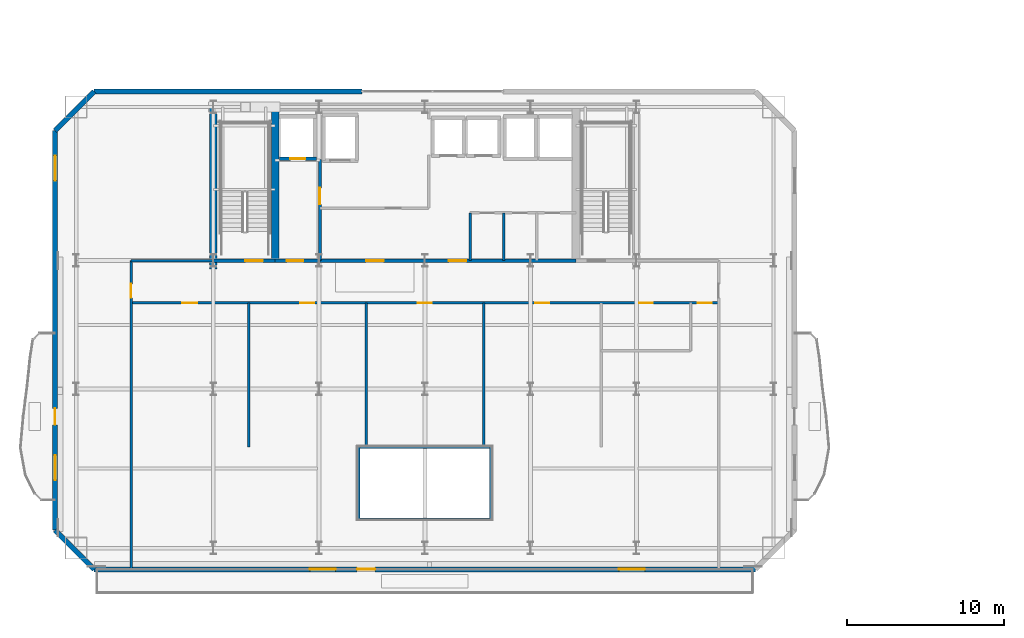
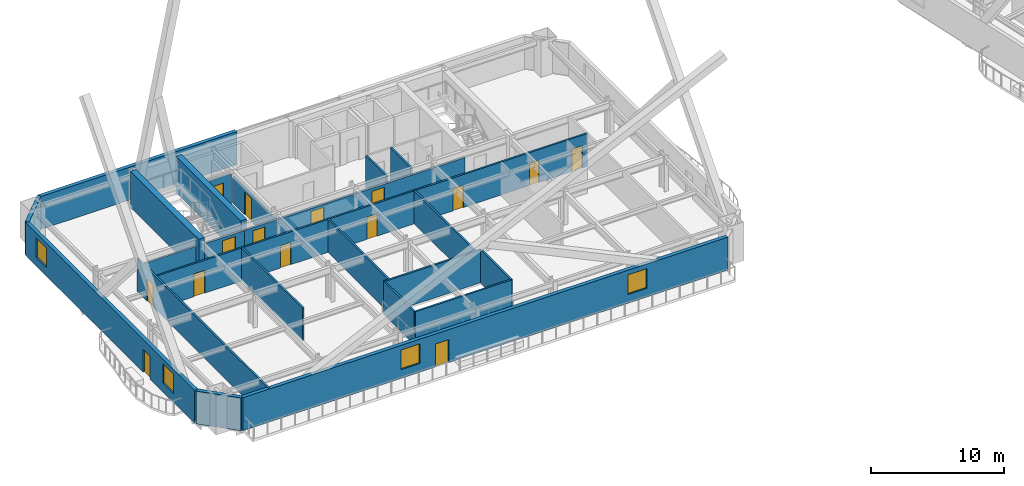
# One storey, part 12 of 22: 24 walls, 15 doors, 4 windows, 19 openings.
"""IFC4 building model written with IfcOpenShell, lengths in metres."""

from ifc_helpers import new_model, si_unit, direction, frame, frame_2d, origin, place, context, subcontext, project, spatial, rectangle, extrude, material, layer, layer_set, type_object, element, fill, save


model = new_model("IFC4")

# Units and contexts
model_context = context("Model", 3, precision=1e-05, world=origin(), true_north=direction((0.0, 1.0)))
body_context = subcontext(model_context, "Body", "Model", "MODEL_VIEW")
ifc_project = project(units=[si_unit("LENGTHUNIT", "METRE"), si_unit("AREAUNIT", "SQUARE_METRE"), si_unit("VOLUMEUNIT", "CUBIC_METRE"), si_unit("PLANEANGLEUNIT", "RADIAN"), si_unit("MASSUNIT", "GRAM", prefix="KILO")], contexts=[model_context])

# Site, building, storey
site_placement = place(None, origin())
site = spatial("IfcSite", under=ifc_project, at=site_placement, CompositionType="ELEMENT")
building_placement = place(site_placement, origin())
building = spatial("IfcBuilding", under=site, at=building_placement, Name="Haevon Station Towers", CompositionType="ELEMENT")
storey_placement = place(building_placement, frame((0.0, 0.0, 93.300048828125)))
storey = spatial("IfcBuildingStorey", under=building, at=storey_placement, Name="L24", CompositionType="ELEMENT", Elevation=93.300048828125)

# Wall, opening, door
ifc_material_1 = material(Name="Gypsum board on steel stud", Category="steel")
ifc_layer_1 = layer(ifc_material_1, 0.199951171875)
ifc_layer_set_1 = layer_set([ifc_layer_1], Name="Gypsum board on steel stud")
wall_type_1 = type_object("IfcWallType", Name="WL-COR200", PredefinedType="PARTITIONING", material=ifc_layer_set_1)
wall_1_placement = place(storey_placement, frame((24.0, 38.199951171875, 0.0), z_axis=(0.0, 0.0, 1.0), x_axis=(1.0, 0.0, 0.0)))
wall_1 = element("IfcWall", 1, at=wall_1_placement, inside=storey, type_object=wall_type_1, Name="WL-ST-ST1-L24", PredefinedType="PARTITIONING", context=body_context, shape_type="SweptSolid", body=[
    extrude(rectangle(XDim=3.949951171875, YDim=0.199951171875, at=frame_2d((1.97509765625, 0.0))), origin(), (0.0, 0.0, 1.0), 2.3798828125),
])
opening_1_placement = place(wall_1_placement, frame((2.050048828125, 0.0, 0.0)))
opening_1 = element("IfcOpeningElement", 2, at=opening_1_placement, cuts=wall_1, Name="Opening DR-ST-ST1-L24", PredefinedType="OPENING", context=body_context, shape_type="SweptSolid", body=[
    extrude(rectangle(XDim=1.1201171875, YDim=2.10009765625, at=frame_2d((0.56005859375, 1.050048828125))), frame((0.0, 0.10986328125, 0.0), z_axis=(0.0, -1.0, 0.0), x_axis=(1.0, 0.0, 0.0)), (0.0, 0.0, 1.0), 0.219970703125),
])
ifc_material_2 = material(Name="Engineered oak timber", Category="wood")
door_type_1 = type_object("IfcDoorType", Name="DR-ST-1120", OperationType="NOTDEFINED", PredefinedType="DOOR", material=ifc_material_2)
door_1_placement = place(opening_1_placement, origin())
door_1 = element("IfcDoor", 3, at=door_1_placement, inside=storey, type_object=door_type_1, Name="L24 Escape Stair ST1 Fire Door", OperationType="SINGLE_SWING_RIGHT", OverallHeight=2.10009765625, OverallWidth=1.1201171875, PredefinedType="DOOR", context=body_context, shape_type="SweptSolid", body=[
    extrude(rectangle(XDim=1.1201171875, YDim=2.10009765625, at=frame_2d((0.56005859375, 1.050048828125))), frame((0.0, 0.02490234375, 0.0), z_axis=(0.0, -1.0, 0.0), x_axis=(1.0, 0.0, 0.0)), (0.0, 0.0, 1.0), 0.050048828125),
])
fill(opening_1, door_1)

wall_2_placement = place(storey_placement, frame((30.800048828125, 38.199951171875, 0.0), z_axis=(0.0, 0.0, 1.0), x_axis=(0.0, 1.0, 0.0)))
wall_2 = element("IfcWall", 4, at=wall_2_placement, inside=storey, type_object=wall_type_1, Name="WL-T1FFL-L24-E", PredefinedType="PARTITIONING", context=body_context, shape_type="SweptSolid", body=[
    extrude(rectangle(XDim=6.449951171875, YDim=0.199951171875, at=frame_2d((3.22509765625, 0.0))), origin(), (0.0, 0.0, 1.0), 2.3798828125),
])
opening_2_placement = place(wall_2_placement, frame((3.590087890625, 0.0, 0.0)))
opening_2 = element("IfcOpeningElement", 5, at=opening_2_placement, cuts=wall_2, Name="Opening DR-T1FFL-L24-E", PredefinedType="OPENING", context=body_context, shape_type="SweptSolid", body=[
    extrude(rectangle(XDim=1.050048828125, YDim=2.10009765625, at=frame_2d((0.52490234375, 1.050048828125))), frame((0.0, 0.10986328125, 0.0), z_axis=(0.0, -1.0, 0.0), x_axis=(1.0, 0.0, 0.0)), (0.0, 0.0, 1.0), 0.219970703125),
])
door_type_2 = type_object("IfcDoorType", Name="DR-FD60-1050", OperationType="NOTDEFINED", PredefinedType="DOOR", material=ifc_material_2)
door_2_placement = place(opening_2_placement, origin())
door_2 = element("IfcDoor", 6, at=door_2_placement, inside=storey, type_object=door_type_2, Name="L24 Tower 1 Firefighting Lift Lobby Door E", OperationType="SINGLE_SWING_RIGHT", OverallHeight=2.10009765625, OverallWidth=1.050048828125, PredefinedType="DOOR", context=body_context, shape_type="SweptSolid", body=[
    extrude(rectangle(XDim=1.050048828125, YDim=2.10009765625, at=frame_2d((0.52490234375, 1.050048828125))), frame((0.0, 0.02490234375, 0.0), z_axis=(0.0, -1.0, 0.0), x_axis=(1.0, 0.0, 0.0)), (0.0, 0.0, 1.0), 0.050048828125),
])
fill(opening_2, door_2)

wall_3_placement = place(storey_placement, frame((27.949951171875, 38.199951171875, 0.0), z_axis=(0.0, 0.0, 1.0), x_axis=(1.0, 0.0, 0.0)))
wall_3 = element("IfcWall", 7, at=wall_3_placement, inside=storey, type_object=wall_type_1, Name="WL-T1FFL-L24-S", PredefinedType="PARTITIONING", context=body_context, shape_type="SweptSolid", body=[
    extrude(rectangle(XDim=2.85009765625, YDim=0.199951171875, at=frame_2d((1.425048828125, 0.0))), origin(), (0.0, 0.0, 1.0), 2.3798828125),
])
opening_3_placement = place(wall_3_placement, frame((0.75, 0.0, 0.0)))
opening_3 = element("IfcOpeningElement", 8, at=opening_3_placement, cuts=wall_3, Name="Opening DR-T1FFL-L24-S", PredefinedType="OPENING", context=body_context, shape_type="SweptSolid", body=[
    extrude(rectangle(XDim=1.050048828125, YDim=2.10009765625, at=frame_2d((0.52490234375, 1.050048828125))), frame((0.0, 0.10986328125, 0.0), z_axis=(0.0, -1.0, 0.0), x_axis=(1.0, 0.0, 0.0)), (0.0, 0.0, 1.0), 0.219970703125),
])
door_3_placement = place(opening_3_placement, origin())
door_3 = element("IfcDoor", 9, at=door_3_placement, inside=storey, type_object=door_type_2, Name="L24 Tower 1 Firefighting Lift Lobby Door S", OperationType="SINGLE_SWING_LEFT", OverallHeight=2.10009765625, OverallWidth=1.050048828125, PredefinedType="DOOR", context=body_context, shape_type="SweptSolid", body=[
    extrude(rectangle(XDim=1.050048828125, YDim=2.10009765625, at=frame_2d((0.52490234375, 1.050048828125))), frame((0.0, 0.02490234375, 0.0), z_axis=(0.0, -1.0, 0.0), x_axis=(1.0, 0.0, 0.0)), (0.0, 0.0, 1.0), 0.050048828125),
])
fill(opening_3, door_3)

# Wall, openings, doors
wall_4_placement = place(storey_placement, frame((30.800048828125, 38.199951171875, 0.0), z_axis=(0.0, 0.0, 1.0), x_axis=(1.0, 0.0, 0.0)))
wall_4 = element("IfcWall", 10, at=wall_4_placement, inside=storey, type_object=wall_type_1, Name="WL-T1CLB-L24", PredefinedType="PARTITIONING", context=body_context, shape_type="SweptSolid", body=[
    extrude(rectangle(XDim=16.349853515625, YDim=0.199951171875, at=frame_2d((8.1748046875, 0.0))), origin(), (0.0, 0.0, 1.0), 2.3798828125),
])
opening_4_placement = place(wall_4_placement, frame((2.949951171875, 0.0, 0.0)))
opening_4 = element("IfcOpeningElement", 11, at=opening_4_placement, cuts=wall_4, Name="Opening DR-T1CLB-L24-1", PredefinedType="OPENING", context=body_context, shape_type="SweptSolid", body=[
    extrude(rectangle(XDim=1.1201171875, YDim=2.10009765625, at=frame_2d((0.56005859375, 1.050048828125))), frame((0.0, 0.10986328125, 0.0), z_axis=(0.0, -1.0, 0.0), x_axis=(1.0, 0.0, 0.0)), (0.0, 0.0, 1.0), 0.219970703125),
])
opening_5_placement = place(wall_4_placement, frame((8.22998046875, 0.0, 0.0)))
opening_5 = element("IfcOpeningElement", 12, at=opening_5_placement, cuts=wall_4, Name="Opening DR-T1CLB-L24-2", PredefinedType="OPENING", context=body_context, shape_type="SweptSolid", body=[
    extrude(rectangle(XDim=1.1201171875, YDim=2.10009765625, at=frame_2d((0.56005859375, 1.050048828125))), frame((0.0, 0.10986328125, 0.0), z_axis=(0.0, -1.0, 0.0), x_axis=(1.0, 0.0, 0.0)), (0.0, 0.0, 1.0), 0.219970703125),
])
door_4_placement = place(opening_4_placement, origin())
door_4 = element("IfcDoor", 13, at=door_4_placement, inside=storey, type_object=door_type_1, Name="L24 Tower 1 Core Lift Lobby Door 1", OperationType="SINGLE_SWING_RIGHT", OverallHeight=2.10009765625, OverallWidth=1.1201171875, PredefinedType="DOOR", context=body_context, shape_type="SweptSolid", body=[
    extrude(rectangle(XDim=1.1201171875, YDim=2.10009765625, at=frame_2d((0.56005859375, 1.050048828125))), frame((0.0, 0.02490234375, 0.0), z_axis=(0.0, -1.0, 0.0), x_axis=(1.0, 0.0, 0.0)), (0.0, 0.0, 1.0), 0.050048828125),
])
fill(opening_4, door_4)
door_5_placement = place(opening_5_placement, origin())
door_5 = element("IfcDoor", 14, at=door_5_placement, inside=storey, type_object=door_type_1, Name="L24 Tower 1 Core Lift Lobby Door 2", OperationType="SINGLE_SWING_LEFT", OverallHeight=2.10009765625, OverallWidth=1.1201171875, PredefinedType="DOOR", context=body_context, shape_type="SweptSolid", body=[
    extrude(rectangle(XDim=1.1201171875, YDim=2.10009765625, at=frame_2d((0.56005859375, 1.050048828125))), frame((0.0, 0.02490234375, 0.0), z_axis=(0.0, -1.0, 0.0), x_axis=(1.0, 0.0, 0.0)), (0.0, 0.0, 1.0), 0.050048828125),
])
fill(opening_5, door_5)

# Walls
ifc_material_3 = material(Name="Concrete C60/75", Category="concrete")
ifc_layer_2 = layer(ifc_material_3, 0.5)
ifc_layer_set_2 = layer_set([ifc_layer_2], Name="Concrete C60/75")
wall_type_2 = type_object("IfcWallType", Name="WL-CR500", PredefinedType="SHEAR", material=ifc_layer_set_2)
wall_5_placement = place(storey_placement, frame((24.0, 37.679931640625, 0.0), z_axis=(0.0, 0.0, 1.0), x_axis=(0.0, 1.0, 0.0)))
element("IfcWall", 15, at=wall_5_placement, inside=storey, type_object=wall_type_2, Name="WL-T1CR-L24-W", PredefinedType="SHEAR", context=body_context, shape_type="SweptSolid", body=[
    extrude(rectangle(XDim=10.320068359375, YDim=0.5, at=frame_2d((5.16015625, 0.0))), origin(), (0.0, 0.0, 1.0), 3.300048828125),
])
wall_6_placement = place(storey_placement, frame((27.949951171875, 38.199951171875, 0.0), z_axis=(0.0, 0.0, 1.0), x_axis=(0.0, 1.0, 0.0)))
element("IfcWall", 16, at=wall_6_placement, inside=storey, type_object=wall_type_2, Name="WL-T1CR-L24-M1", PredefinedType="SHEAR", context=body_context, shape_type="SweptSolid", body=[
    extrude(rectangle(XDim=9.800048828125, YDim=0.5, at=frame_2d((4.89990234375, 0.0))), origin(), (0.0, 0.0, 1.0), 3.300048828125),
])

# Wall, openings, door, windows
ifc_material_4 = material(Name="Precast concrete C45/55", Category="concrete")
ifc_layer_3 = layer(ifc_material_4, 0.320068359375)
ifc_layer_set_3 = layer_set([ifc_layer_3], Name="Precast concrete C45/55")
wall_type_3 = type_object("IfcWallType", Name="WL-EXT-PIER320", PredefinedType="SOLIDWALL", material=ifc_layer_set_3)
wall_7_placement = place(storey_placement, frame((58.60009765625, 18.5, 0.0), z_axis=(0.0, 0.0, 1.0), x_axis=(-1.0, 0.0, 0.0)))
wall_7 = element("IfcWall", 17, at=wall_7_placement, inside=storey, type_object=wall_type_3, Name="WL-T1-L24-S", PredefinedType="SOLIDWALL", context=body_context, shape_type="SweptSolid", body=[
    extrude(rectangle(XDim=42.2001953125, YDim=0.320068359375, at=frame_2d((21.10009765625, 0.0))), origin(), (0.0, 0.0, 1.0), 3.030029296875),
])
opening_6_placement = place(wall_7_placement, frame((24.27490234375, 0.0, 0.0)))
opening_6 = element("IfcOpeningElement", 18, at=opening_6_placement, cuts=wall_7, Name="Opening DR-T1-SKYG-L24", PredefinedType="OPENING", context=body_context, shape_type="SweptSolid", body=[
    extrude(rectangle(XDim=1.14990234375, YDim=2.10009765625, at=frame_2d((0.574951171875, 1.050048828125))), frame((0.0, 0.169921875, 0.0), z_axis=(0.0, -1.0, 0.0), x_axis=(1.0, 0.0, 0.0)), (0.0, 0.0, 1.0), 0.340087890625),
])
opening_7_placement = place(wall_7_placement, frame((26.783935546875, 0.0, 0.800048828125)))
opening_7 = element("IfcOpeningElement", 19, at=opening_7_placement, cuts=wall_7, Name="Opening WN-P165", PredefinedType="OPENING", context=body_context, shape_type="SweptSolid", body=[
    extrude(rectangle(XDim=1.64990234375, YDim=1.800048828125, at=frame_2d((0.824951171875, 0.89990234375))), frame((0.0, 0.169921875, 0.0), z_axis=(0.0, -1.0, 0.0), x_axis=(1.0, 0.0, 0.0)), (0.0, 0.0, 1.0), 0.340087890625),
])
opening_8_placement = place(wall_7_placement, frame((7.056396484375, 0.0, 0.800048828125)))
opening_8 = element("IfcOpeningElement", 20, at=opening_8_placement, cuts=wall_7, Name="Opening WN-P165", PredefinedType="OPENING", context=body_context, shape_type="SweptSolid", body=[
    extrude(rectangle(XDim=1.64990234375, YDim=1.800048828125, at=frame_2d((0.824951171875, 0.89990234375))), frame((0.0, 0.169921875, 0.0), z_axis=(0.0, -1.0, 0.0), x_axis=(1.0, 0.0, 0.0)), (0.0, 0.0, 1.0), 0.340087890625),
])
ifc_material_5 = material(Name="Thermally broken anodised aluminium and laminated safety glass", Category="aluminium")
door_type_3 = type_object("IfcDoorType", Name="DR-BALC-1150", OperationType="NOTDEFINED", PredefinedType="DOOR", material=ifc_material_5)
door_6_placement = place(opening_6_placement, origin())
door_6 = element("IfcDoor", 21, at=door_6_placement, inside=storey, type_object=door_type_3, Name="Tower 1 L24 Sky Garden Terrace Door", OperationType="SINGLE_SWING_RIGHT", OverallHeight=2.10009765625, OverallWidth=1.14990234375, PredefinedType="DOOR", context=body_context, shape_type="SweptSolid", body=[
    extrude(rectangle(XDim=1.14990234375, YDim=2.10009765625, at=frame_2d((0.574951171875, 1.050048828125))), frame((0.0, 0.02490234375, 0.0), z_axis=(0.0, -1.0, 0.0), x_axis=(1.0, 0.0, 0.0)), (0.0, 0.0, 1.0), 0.050048828125),
])
fill(opening_6, door_6)
ifc_material_6 = material(Name="Low-E triple glazing in thermally broken aluminium", Category="aluminium")
window_type_1 = type_object("IfcWindowType", Name="WN-P165", PartitioningType="SINGLE_PANEL", PredefinedType="WINDOW", material=ifc_material_6)
window_1_placement = place(opening_7_placement, origin())
window_1 = element("IfcWindow", 22, at=window_1_placement, inside=storey, type_object=window_type_1, Name="WN-T1-L24-S01", OverallHeight=1.800048828125, OverallWidth=1.64990234375, PartitioningType="SINGLE_PANEL", PredefinedType="WINDOW", context=body_context, shape_type="SweptSolid", body=[
    extrude(rectangle(XDim=1.64990234375, YDim=1.800048828125, at=frame_2d((0.824951171875, 0.89990234375))), frame((0.0, 0.030029296875, 0.0), z_axis=(0.0, -1.0, 0.0), x_axis=(1.0, 0.0, 0.0)), (0.0, 0.0, 1.0), 0.06005859375),
])
fill(opening_7, window_1)
window_2_placement = place(opening_8_placement, origin())
window_2 = element("IfcWindow", 23, at=window_2_placement, inside=storey, type_object=window_type_1, Name="WN-T1-L24-S02", OverallHeight=1.800048828125, OverallWidth=1.64990234375, PartitioningType="SINGLE_PANEL", PredefinedType="WINDOW", context=body_context, shape_type="SweptSolid", body=[
    extrude(rectangle(XDim=1.64990234375, YDim=1.800048828125, at=frame_2d((0.824951171875, 0.89990234375))), frame((0.0, 0.030029296875, 0.0), z_axis=(0.0, -1.0, 0.0), x_axis=(1.0, 0.0, 0.0)), (0.0, 0.0, 1.0), 0.06005859375),
])
fill(opening_8, window_2)

# Wall
wall_8_placement = place(storey_placement, frame((16.39990234375, 18.5, 0.0), z_axis=(0.0, 0.0, 1.0), x_axis=(-0.707106781187, 0.707106781187, 0.0)))
element("IfcWall", 24, at=wall_8_placement, inside=storey, type_object=wall_type_3, Name="WL-T1-L24-SWC", PredefinedType="SOLIDWALL", context=body_context, shape_type="SweptSolid", body=[
    extrude(rectangle(XDim=3.53564453125, YDim=0.320068359375, at=frame_2d((1.767822265625, 0.0))), origin(), (0.0, 0.0, 1.0), 3.030029296875),
])

# Wall, openings, door, windows
wall_9_placement = place(storey_placement, frame((13.89990234375, 21.0, 0.0), z_axis=(0.0, 0.0, 1.0), x_axis=(0.0, 1.0, 0.0)))
wall_9 = element("IfcWall", 25, at=wall_9_placement, inside=storey, type_object=wall_type_3, Name="WL-T1-L24-W", PredefinedType="SOLIDWALL", context=body_context, shape_type="SweptSolid", body=[
    extrude(rectangle(XDim=25.5, YDim=0.320068359375, at=frame_2d((12.75, 0.0))), origin(), (0.0, 0.0, 1.0), 3.030029296875),
])
opening_9_placement = place(wall_9_placement, frame((6.72509765625, 0.0, 0.0)))
opening_9 = element("IfcOpeningElement", 26, at=opening_9_placement, cuts=wall_9, Name="Opening DR-T1-SCAL-L24-W", PredefinedType="OPENING", context=body_context, shape_type="SweptSolid", body=[
    extrude(rectangle(XDim=1.050048828125, YDim=2.10009765625, at=frame_2d((0.52490234375, 1.050048828125))), frame((0.0, 0.169921875, 0.0), z_axis=(0.0, -1.0, 0.0), x_axis=(1.0, 0.0, 0.0)), (0.0, 0.0, 1.0), 0.340087890625),
])
opening_10_placement = place(wall_9_placement, frame((3.189208984375, 0.0, 0.800048828125)))
opening_10 = element("IfcOpeningElement", 27, at=opening_10_placement, cuts=wall_9, Name="Opening WN-END160", PredefinedType="OPENING", context=body_context, shape_type="SweptSolid", body=[
    extrude(rectangle(XDim=1.60009765625, YDim=1.800048828125, at=frame_2d((0.800048828125, 0.89990234375))), frame((0.0, 0.169921875, 0.0), z_axis=(0.0, -1.0, 0.0), x_axis=(1.0, 0.0, 0.0)), (0.0, 0.0, 1.0), 0.340087890625),
])
opening_11_placement = place(wall_9_placement, frame((22.3037109375, 0.0, 0.800048828125)))
opening_11 = element("IfcOpeningElement", 28, at=opening_11_placement, cuts=wall_9, Name="Opening WN-END160", PredefinedType="OPENING", context=body_context, shape_type="SweptSolid", body=[
    extrude(rectangle(XDim=1.60009765625, YDim=1.800048828125, at=frame_2d((0.800048828125, 0.89990234375))), frame((0.0, 0.169921875, 0.0), z_axis=(0.0, -1.0, 0.0), x_axis=(1.0, 0.0, 0.0)), (0.0, 0.0, 1.0), 0.340087890625),
])
door_type_4 = type_object("IfcDoorType", Name="DR-BALC-1050", OperationType="NOTDEFINED", PredefinedType="DOOR", material=ifc_material_5)
door_7_placement = place(opening_9_placement, origin())
door_7 = element("IfcDoor", 29, at=door_7_placement, inside=storey, type_object=door_type_4, Name="Tower 1 L24 West Scalloped Balcony Door", OperationType="SINGLE_SWING_LEFT", OverallHeight=2.10009765625, OverallWidth=1.050048828125, PredefinedType="DOOR", context=body_context, shape_type="SweptSolid", body=[
    extrude(rectangle(XDim=1.050048828125, YDim=2.10009765625, at=frame_2d((0.52490234375, 1.050048828125))), frame((0.0, 0.02490234375, 0.0), z_axis=(0.0, -1.0, 0.0), x_axis=(1.0, 0.0, 0.0)), (0.0, 0.0, 1.0), 0.050048828125),
])
fill(opening_9, door_7)
window_type_2 = type_object("IfcWindowType", Name="WN-END160", PartitioningType="SINGLE_PANEL", PredefinedType="WINDOW", material=ifc_material_6)
window_3_placement = place(opening_10_placement, origin())
window_3 = element("IfcWindow", 30, at=window_3_placement, inside=storey, type_object=window_type_2, Name="WN-T1-L24-W01", OverallHeight=1.800048828125, OverallWidth=1.60009765625, PartitioningType="SINGLE_PANEL", PredefinedType="WINDOW", context=body_context, shape_type="SweptSolid", body=[
    extrude(rectangle(XDim=1.60009765625, YDim=1.800048828125, at=frame_2d((0.800048828125, 0.89990234375))), frame((0.0, 0.030029296875, 0.0), z_axis=(0.0, -1.0, 0.0), x_axis=(1.0, 0.0, 0.0)), (0.0, 0.0, 1.0), 0.06005859375),
])
fill(opening_10, window_3)
window_4_placement = place(opening_11_placement, origin())
window_4 = element("IfcWindow", 31, at=window_4_placement, inside=storey, type_object=window_type_2, Name="WN-T1-L24-W02", OverallHeight=1.800048828125, OverallWidth=1.60009765625, PartitioningType="SINGLE_PANEL", PredefinedType="WINDOW", context=body_context, shape_type="SweptSolid", body=[
    extrude(rectangle(XDim=1.60009765625, YDim=1.800048828125, at=frame_2d((0.800048828125, 0.89990234375))), frame((0.0, 0.030029296875, 0.0), z_axis=(0.0, -1.0, 0.0), x_axis=(1.0, 0.0, 0.0)), (0.0, 0.0, 1.0), 0.06005859375),
])
fill(opening_11, window_4)

# Walls
wall_10_placement = place(storey_placement, frame((13.89990234375, 46.5, 0.0), z_axis=(0.0, 0.0, 1.0), x_axis=(0.707106781187, 0.707106781187, 0.0)))
element("IfcWall", 32, at=wall_10_placement, inside=storey, type_object=wall_type_3, Name="WL-T1-L24-NWC", PredefinedType="SOLIDWALL", context=body_context, shape_type="SweptSolid", body=[
    extrude(rectangle(XDim=3.53564453125, YDim=0.320068359375, at=frame_2d((1.767822265625, 0.0))), origin(), (0.0, 0.0, 1.0), 3.030029296875),
])
wall_11_placement = place(storey_placement, frame((16.39990234375, 49.0, 0.0), z_axis=(0.0, 0.0, 1.0), x_axis=(1.0, 0.0, 0.0)))
element("IfcWall", 33, at=wall_11_placement, inside=storey, type_object=wall_type_3, Name="WL-T1-L24-N1", PredefinedType="SOLIDWALL", context=body_context, shape_type="SweptSolid", body=[
    extrude(rectangle(XDim=17.10009765625, YDim=0.320068359375, at=frame_2d((8.550048828125, 0.0))), origin(), (0.0, 0.0, 1.0), 3.030029296875),
])
ifc_layer_4 = layer(ifc_material_1, 0.159912109375)
ifc_layer_set_4 = layer_set([ifc_layer_4], Name="Gypsum board on steel stud")
wall_type_4 = type_object("IfcWallType", Name="WL-PRT160", PredefinedType="PARTITIONING", material=ifc_layer_set_4)
for number, where, z_axis, x_axis, name in (
    (34, (40.39990234375, 38.199951171875, 0.0), (0.0, 0.0, 1.0), (0.0, 1.0, 0.0), "WL-T1CW-L24-04"),
    (35, (42.530029296875, 38.199951171875, 0.0), (0.0, 0.0, 1.0), (0.0, 1.0, 0.0), "WL-T1CW-L24-05"),
):
    element("IfcWall", number, at=place(storey_placement, frame(where, z_axis=z_axis, x_axis=x_axis)), inside=storey, type_object=wall_type_4, Name=name, PredefinedType="PARTITIONING", context=body_context, shape_type="SweptSolid", body=[
        extrude(rectangle(XDim=3.050048828125, YDim=0.159912109375, at=frame_2d((1.52490234375, 0.0))), origin(), (0.0, 0.0, 1.0), 3.030029296875),
    ])
wall_12_placement = place(storey_placement, frame((18.75, 38.199951171875, 0.0), z_axis=(0.0, 0.0, 1.0), x_axis=(1.0, 0.0, 0.0)))
element("IfcWall", 36, at=wall_12_placement, inside=storey, type_object=wall_type_4, Name="WL-T1PT-L24-01", PredefinedType="PARTITIONING", context=body_context, shape_type="SweptSolid", body=[
    extrude(rectangle(XDim=5.25, YDim=0.159912109375, at=frame_2d((2.625, 0.0))), origin(), (0.0, 0.0, 1.0), 2.3798828125),
])

# Wall, opening, door
wall_13_placement = place(storey_placement, frame((18.75, 18.5, 0.0), z_axis=(0.0, 0.0, 1.0), x_axis=(0.0, 1.0, 0.0)))
wall_13 = element("IfcWall", 37, at=wall_13_placement, inside=storey, type_object=wall_type_4, Name="WL-T1PT-L24-03", PredefinedType="PARTITIONING", context=body_context, shape_type="SweptSolid", body=[
    extrude(rectangle(XDim=19.699951171875, YDim=0.159912109375, at=frame_2d((9.85009765625, 0.0))), origin(), (0.0, 0.0, 1.0), 3.030029296875),
])
opening_12_placement = place(wall_13_placement, frame((17.320068359375, 0.0, 0.0)))
opening_12 = element("IfcOpeningElement", 38, at=opening_12_placement, cuts=wall_13, Name="Opening DR-WL-T1PT-L24-03-01", PredefinedType="OPENING", context=body_context, shape_type="SweptSolid", body=[
    extrude(rectangle(XDim=0.89990234375, YDim=2.050048828125, at=frame_2d((0.449951171875, 1.02490234375))), frame((0.0, 0.08984375, 0.0), z_axis=(0.0, -1.0, 0.0), x_axis=(1.0, 0.0, 0.0)), (0.0, 0.0, 1.0), 0.179931640625),
])
door_type_5 = type_object("IfcDoorType", Name="DR-INT-900", OperationType="NOTDEFINED", PredefinedType="DOOR", material=ifc_material_2)
door_8_placement = place(opening_12_placement, origin())
door_8 = element("IfcDoor", 39, at=door_8_placement, inside=storey, type_object=door_type_5, Name="L24 Tower 1 Room Door 3-1", OperationType="SINGLE_SWING_LEFT", OverallHeight=2.050048828125, OverallWidth=0.89990234375, PredefinedType="DOOR", context=body_context, shape_type="SweptSolid", body=[
    extrude(rectangle(XDim=0.89990234375, YDim=2.050048828125, at=frame_2d((0.449951171875, 1.02490234375))), frame((0.0, 0.02490234375, 0.0), z_axis=(0.0, -1.0, 0.0), x_axis=(1.0, 0.0, 0.0)), (0.0, 0.0, 1.0), 0.050048828125),
])
fill(opening_12, door_8)

# Walls
for number, where, z_axis, x_axis, name in (
    (40, (33.300048828125, 21.699951171875, 0.0), (0.0, 0.0, 1.0), (1.0, 0.0, 0.0), "WL-T1PT-L24-05"),
    (41, (33.300048828125, 26.300048828125, 0.0), (0.0, 0.0, 1.0), (1.0, 0.0, 0.0), "WL-T1PT-L24-06"),
):
    element("IfcWall", number, at=place(storey_placement, frame(where, z_axis=z_axis, x_axis=x_axis)), inside=storey, type_object=wall_type_4, Name=name, PredefinedType="PARTITIONING", context=body_context, shape_type="SweptSolid", body=[
        extrude(rectangle(XDim=8.39990234375, YDim=0.159912109375, at=frame_2d((4.199951171875, 0.0))), origin(), (0.0, 0.0, 1.0), 3.030029296875),
    ])
for number, where, z_axis, x_axis, name in (
    (42, (33.300048828125, 21.699951171875, 0.0), (0.0, 0.0, 1.0), (0.0, 1.0, 0.0), "WL-T1PT-L24-07"),
    (43, (41.699951171875, 21.699951171875, 0.0), (0.0, 0.0, 1.0), (0.0, 1.0, 0.0), "WL-T1PT-L24-08"),
):
    element("IfcWall", number, at=place(storey_placement, frame(where, z_axis=z_axis, x_axis=x_axis)), inside=storey, type_object=wall_type_4, Name=name, PredefinedType="PARTITIONING", context=body_context, shape_type="SweptSolid", body=[
        extrude(rectangle(XDim=4.60009765625, YDim=0.159912109375, at=frame_2d((2.300048828125, 0.0))), origin(), (0.0, 0.0, 1.0), 3.030029296875),
    ])
for number, where, z_axis, x_axis, name in (
    (44, (26.25, 26.300048828125, 0.0), (0.0, 0.0, 1.0), (0.0, 1.0, 0.0), "WL-T1PT-L24-09"),
    (45, (33.75, 26.300048828125, 0.0), (0.0, 0.0, 1.0), (0.0, 1.0, 0.0), "WL-T1PT-L24-10"),
    (46, (41.25, 26.300048828125, 0.0), (0.0, 0.0, 1.0), (0.0, 1.0, 0.0), "WL-T1PT-L24-12"),
):
    element("IfcWall", number, at=place(storey_placement, frame(where, z_axis=z_axis, x_axis=x_axis)), inside=storey, type_object=wall_type_4, Name=name, PredefinedType="PARTITIONING", context=body_context, shape_type="SweptSolid", body=[
        extrude(rectangle(XDim=9.199951171875, YDim=0.159912109375, at=frame_2d((4.60009765625, 0.0))), origin(), (0.0, 0.0, 1.0), 3.030029296875),
    ])

# Wall, openings, doors
wall_14_placement = place(storey_placement, frame((18.75, 35.5, 0.0), z_axis=(0.0, 0.0, 1.0), x_axis=(1.0, 0.0, 0.0)))
wall_14 = element("IfcWall", 47, at=wall_14_placement, inside=storey, type_object=wall_type_4, Name="WL-T1PT-L24-18", PredefinedType="PARTITIONING", context=body_context, shape_type="SweptSolid", body=[
    extrude(rectangle(XDim=37.5, YDim=0.159912109375, at=frame_2d((18.75, 0.0))), origin(), (0.0, 0.0, 1.0), 3.030029296875),
])
opening_13_placement = place(wall_14_placement, frame((3.27490234375, 0.0, 0.0)))
opening_13 = element("IfcOpeningElement", 48, at=opening_13_placement, cuts=wall_14, Name="Opening DR-WL-T1PT-L24-18-01", PredefinedType="OPENING", context=body_context, shape_type="SweptSolid", body=[
    extrude(rectangle(XDim=0.949951171875, YDim=2.10009765625, at=frame_2d((0.47509765625, 1.050048828125))), frame((0.0, 0.08984375, 0.0), z_axis=(0.0, -1.0, 0.0), x_axis=(1.0, 0.0, 0.0)), (0.0, 0.0, 1.0), 0.179931640625),
])
opening_14_placement = place(wall_14_placement, frame((10.800048828125, 0.0, 0.0)))
opening_14 = element("IfcOpeningElement", 49, at=opening_14_placement, cuts=wall_14, Name="Opening DR-WL-T1PT-L24-18-02", PredefinedType="OPENING", context=body_context, shape_type="SweptSolid", body=[
    extrude(rectangle(XDim=0.89990234375, YDim=2.050048828125, at=frame_2d((0.449951171875, 1.02490234375))), frame((0.0, 0.08984375, 0.0), z_axis=(0.0, -1.0, 0.0), x_axis=(1.0, 0.0, 0.0)), (0.0, 0.0, 1.0), 0.179931640625),
])
opening_15_placement = place(wall_14_placement, frame((18.300048828125, 0.0, 0.0)))
opening_15 = element("IfcOpeningElement", 50, at=opening_15_placement, cuts=wall_14, Name="Opening DR-WL-T1PT-L24-18-03", PredefinedType="OPENING", context=body_context, shape_type="SweptSolid", body=[
    extrude(rectangle(XDim=0.89990234375, YDim=2.050048828125, at=frame_2d((0.449951171875, 1.02490234375))), frame((0.0, 0.08984375, 0.0), z_axis=(0.0, -1.0, 0.0), x_axis=(1.0, 0.0, 0.0)), (0.0, 0.0, 1.0), 0.179931640625),
])
opening_16_placement = place(wall_14_placement, frame((25.800048828125, 0.0, 0.0)))
opening_16 = element("IfcOpeningElement", 51, at=opening_16_placement, cuts=wall_14, Name="Opening DR-WL-T1PT-L24-18-04", PredefinedType="OPENING", context=body_context, shape_type="SweptSolid", body=[
    extrude(rectangle(XDim=0.89990234375, YDim=2.050048828125, at=frame_2d((0.449951171875, 1.02490234375))), frame((0.0, 0.08984375, 0.0), z_axis=(0.0, -1.0, 0.0), x_axis=(1.0, 0.0, 0.0)), (0.0, 0.0, 1.0), 0.179931640625),
])
opening_17_placement = place(wall_14_placement, frame((32.43505859375, 0.0, 0.0)))
opening_17 = element("IfcOpeningElement", 52, at=opening_17_placement, cuts=wall_14, Name="Opening DR-WL-T1PT-L24-18-05", PredefinedType="OPENING", context=body_context, shape_type="SweptSolid", body=[
    extrude(rectangle(XDim=0.85009765625, YDim=2.050048828125, at=frame_2d((0.425048828125, 1.02490234375))), frame((0.0, 0.08984375, 0.0), z_axis=(0.0, -1.0, 0.0), x_axis=(1.0, 0.0, 0.0)), (0.0, 0.0, 1.0), 0.179931640625),
])
opening_18_placement = place(wall_14_placement, frame((36.159912109375, 0.0, 0.0)))
opening_18 = element("IfcOpeningElement", 53, at=opening_18_placement, cuts=wall_14, Name="Opening DR-WL-T1PT-L24-18-06", PredefinedType="OPENING", context=body_context, shape_type="SweptSolid", body=[
    extrude(rectangle(XDim=0.89990234375, YDim=2.050048828125, at=frame_2d((0.449951171875, 1.02490234375))), frame((0.0, 0.08984375, 0.0), z_axis=(0.0, -1.0, 0.0), x_axis=(1.0, 0.0, 0.0)), (0.0, 0.0, 1.0), 0.179931640625),
])
door_type_6 = type_object("IfcDoorType", Name="DR-FD30-850", OperationType="NOTDEFINED", PredefinedType="DOOR", material=ifc_material_2)
door_9_placement = place(opening_17_placement, origin())
door_9 = element("IfcDoor", 54, at=door_9_placement, inside=storey, type_object=door_type_6, Name="L24 Tower 1 Room Door 18-5", OperationType="SINGLE_SWING_LEFT", OverallHeight=2.050048828125, OverallWidth=0.85009765625, PredefinedType="DOOR", context=body_context, shape_type="SweptSolid", body=[
    extrude(rectangle(XDim=0.85009765625, YDim=2.050048828125, at=frame_2d((0.425048828125, 1.02490234375))), frame((0.0, 0.02490234375, 0.0), z_axis=(0.0, -1.0, 0.0), x_axis=(1.0, 0.0, 0.0)), (0.0, 0.0, 1.0), 0.050048828125),
])
fill(opening_17, door_9)
door_type_7 = type_object("IfcDoorType", Name="DR-FD30-950", OperationType="NOTDEFINED", PredefinedType="DOOR", material=ifc_material_2)
door_10_placement = place(opening_13_placement, origin())
door_10 = element("IfcDoor", 55, at=door_10_placement, inside=storey, type_object=door_type_7, Name="L24 Tower 1 Room Door 18-1", OperationType="SINGLE_SWING_LEFT", OverallHeight=2.10009765625, OverallWidth=0.949951171875, PredefinedType="DOOR", context=body_context, shape_type="SweptSolid", body=[
    extrude(rectangle(XDim=0.949951171875, YDim=2.10009765625, at=frame_2d((0.47509765625, 1.050048828125))), frame((0.0, 0.02490234375, 0.0), z_axis=(0.0, -1.0, 0.0), x_axis=(1.0, 0.0, 0.0)), (0.0, 0.0, 1.0), 0.050048828125),
])
fill(opening_13, door_10)
door_11_placement = place(opening_14_placement, origin())
door_11 = element("IfcDoor", 56, at=door_11_placement, inside=storey, type_object=door_type_5, Name="L24 Tower 1 Room Door 18-2", OperationType="SINGLE_SWING_RIGHT", OverallHeight=2.050048828125, OverallWidth=0.89990234375, PredefinedType="DOOR", context=body_context, shape_type="SweptSolid", body=[
    extrude(rectangle(XDim=0.89990234375, YDim=2.050048828125, at=frame_2d((0.449951171875, 1.02490234375))), frame((0.0, 0.02490234375, 0.0), z_axis=(0.0, -1.0, 0.0), x_axis=(1.0, 0.0, 0.0)), (0.0, 0.0, 1.0), 0.050048828125),
])
fill(opening_14, door_11)
door_12_placement = place(opening_15_placement, origin())
door_12 = element("IfcDoor", 57, at=door_12_placement, inside=storey, type_object=door_type_5, Name="L24 Tower 1 Room Door 18-3", OperationType="SINGLE_SWING_LEFT", OverallHeight=2.050048828125, OverallWidth=0.89990234375, PredefinedType="DOOR", context=body_context, shape_type="SweptSolid", body=[
    extrude(rectangle(XDim=0.89990234375, YDim=2.050048828125, at=frame_2d((0.449951171875, 1.02490234375))), frame((0.0, 0.02490234375, 0.0), z_axis=(0.0, -1.0, 0.0), x_axis=(1.0, 0.0, 0.0)), (0.0, 0.0, 1.0), 0.050048828125),
])
fill(opening_15, door_12)
door_13_placement = place(opening_16_placement, origin())
door_13 = element("IfcDoor", 58, at=door_13_placement, inside=storey, type_object=door_type_5, Name="L24 Tower 1 Room Door 18-4", OperationType="SINGLE_SWING_RIGHT", OverallHeight=2.050048828125, OverallWidth=0.89990234375, PredefinedType="DOOR", context=body_context, shape_type="SweptSolid", body=[
    extrude(rectangle(XDim=0.89990234375, YDim=2.050048828125, at=frame_2d((0.449951171875, 1.02490234375))), frame((0.0, 0.02490234375, 0.0), z_axis=(0.0, -1.0, 0.0), x_axis=(1.0, 0.0, 0.0)), (0.0, 0.0, 1.0), 0.050048828125),
])
fill(opening_16, door_13)
door_14_placement = place(opening_18_placement, origin())
door_14 = element("IfcDoor", 59, at=door_14_placement, inside=storey, type_object=door_type_5, Name="L24 Tower 1 Room Door 18-6", OperationType="SINGLE_SWING_RIGHT", OverallHeight=2.050048828125, OverallWidth=0.89990234375, PredefinedType="DOOR", context=body_context, shape_type="SweptSolid", body=[
    extrude(rectangle(XDim=0.89990234375, YDim=2.050048828125, at=frame_2d((0.449951171875, 1.02490234375))), frame((0.0, 0.02490234375, 0.0), z_axis=(0.0, -1.0, 0.0), x_axis=(1.0, 0.0, 0.0)), (0.0, 0.0, 1.0), 0.050048828125),
])
fill(opening_18, door_14)

# Wall, opening, door
ifc_material_7 = material(Name="Concrete C40/50", Category="concrete")
ifc_layer_5 = layer(ifc_material_7, 0.239990234375)
ifc_layer_set_5 = layer_set([ifc_layer_5], Name="Concrete C40/50")
wall_type_5 = type_object("IfcWallType", Name="WL-SHF240", PredefinedType="PARTITIONING", material=ifc_layer_set_5)
wall_15_placement = place(storey_placement, frame((28.219970703125, 44.699951171875, 0.0), z_axis=(0.0, 0.0, 1.0), x_axis=(1.0, 0.0, 0.0)))
wall_15 = element("IfcWall", 60, at=wall_15_placement, inside=storey, type_object=wall_type_5, Name="WL-SHF-FL1-L24", PredefinedType="PARTITIONING", context=body_context, shape_type="SweptSolid", body=[
    extrude(rectangle(XDim=2.360107421875, YDim=0.239990234375, at=frame_2d((1.18017578125, 0.0))), origin(), (0.0, 0.0, 1.0), 2.72998046875),
])
opening_19_placement = place(wall_15_placement, frame((0.705078125, 0.0, 0.0)))
opening_19 = element("IfcOpeningElement", 61, at=opening_19_placement, cuts=wall_15, Name="Opening LD-FL1-L24", PredefinedType="OPENING", context=body_context, shape_type="SweptSolid", body=[
    extrude(rectangle(XDim=0.949951171875, YDim=2.14990234375, at=frame_2d((0.47509765625, 1.074951171875))), frame((0.0, 0.1298828125, 0.0), z_axis=(0.0, -1.0, 0.0), x_axis=(1.0, 0.0, 0.0)), (0.0, 0.0, 1.0), 0.260009765625),
])
ifc_material_8 = material(Name="Stainless steel and rated core", Category="steel")
door_type_8 = type_object("IfcDoorType", Name="LD-FL950", OperationType="SLIDING_TO_LEFT", PredefinedType="DOOR", material=ifc_material_8)
door_15_placement = place(opening_19_placement, origin())
door_15 = element("IfcDoor", 62, at=door_15_placement, inside=storey, type_object=door_type_8, Name="L24 Lift FL1 Sliding Landing Door", OperationType="SLIDING_TO_LEFT", OverallHeight=2.14990234375, OverallWidth=0.949951171875, PredefinedType="DOOR", context=body_context, shape_type="SweptSolid", body=[
    extrude(rectangle(XDim=0.949951171875, YDim=2.14990234375, at=frame_2d((0.47509765625, 1.074951171875))), frame((0.0, 0.02490234375, 0.0), z_axis=(0.0, -1.0, 0.0), x_axis=(1.0, 0.0, 0.0)), (0.0, 0.0, 1.0), 0.050048828125),
])
fill(opening_19, door_15)

save(model, "model.ifc")
